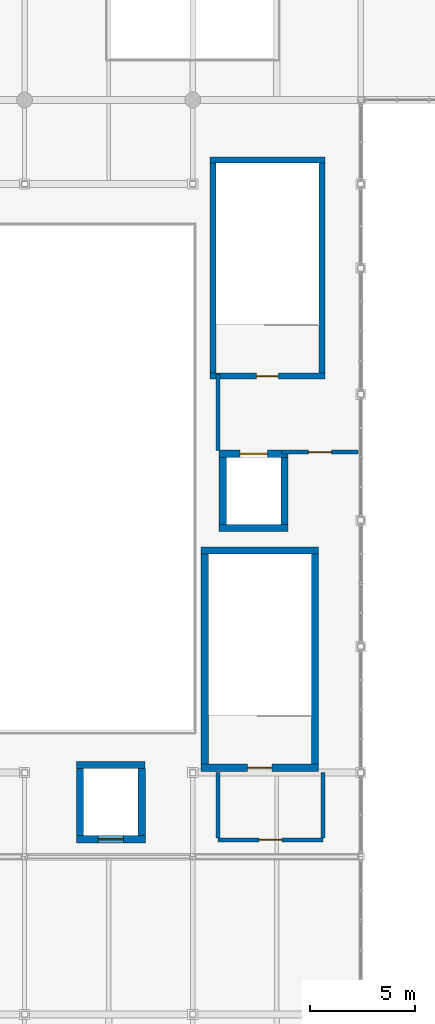
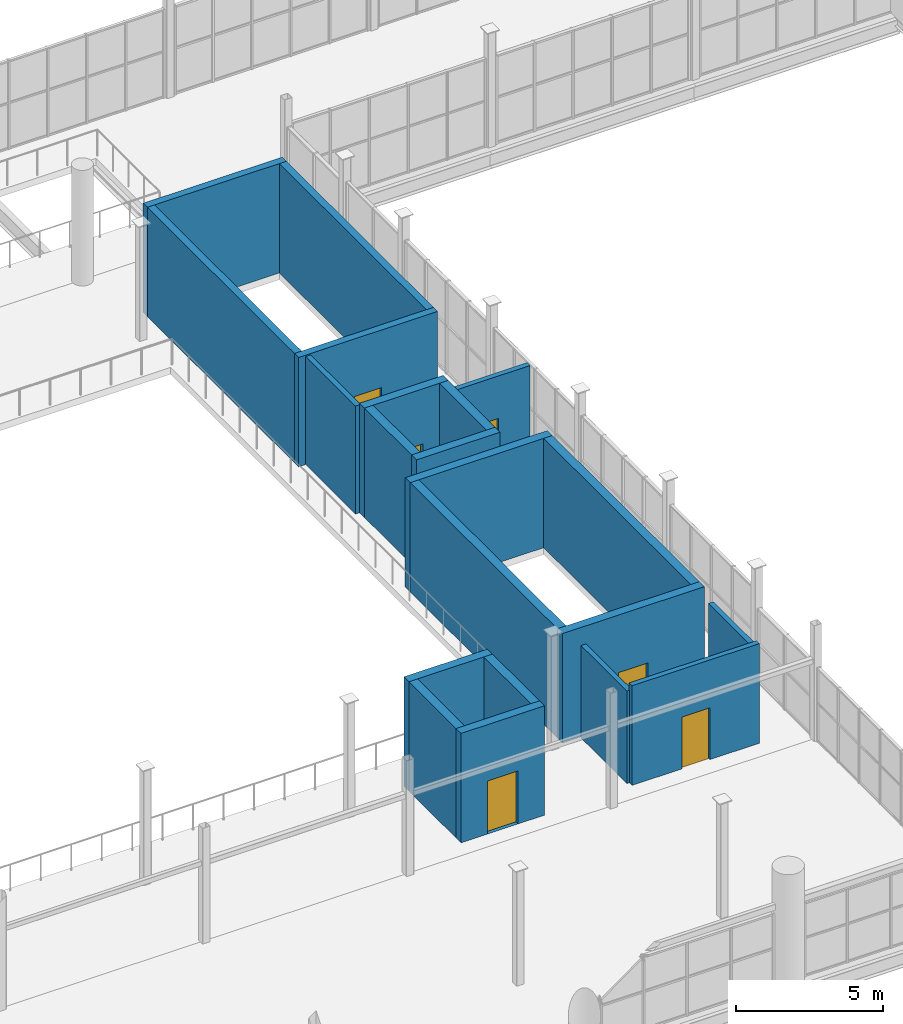
# One storey, part 100 of 114: 21 walls, 6 doors, 6 openings.
"""IFC4 building model written with IfcOpenShell, lengths in metres."""

from ifc_helpers import new_model, si_unit, direction, frame, frame_2d, origin, place, context, subcontext, project, spatial, rectangle, extrude, material, layer, layer_set, type_object, element, fill, save


model = new_model("IFC4")

# Units and contexts
model_context = context("Model", 3, precision=1e-05, world=origin(), true_north=direction((0.0, 1.0)))
body_context = subcontext(model_context, "Body", "Model", "MODEL_VIEW")
ifc_project = project(units=[si_unit("LENGTHUNIT", "METRE"), si_unit("AREAUNIT", "SQUARE_METRE"), si_unit("VOLUMEUNIT", "CUBIC_METRE"), si_unit("PLANEANGLEUNIT", "RADIAN"), si_unit("MASSUNIT", "GRAM", prefix="KILO")], contexts=[model_context])

# Site, building, storey
site_placement = place(None, origin())
site = spatial("IfcSite", under=ifc_project, at=site_placement, CompositionType="ELEMENT")
building_placement = place(site_placement, origin())
building = spatial("IfcBuilding", under=site, at=building_placement, Name="Verrall Gate Interchange", CompositionType="ELEMENT")
storey_placement = place(building_placement, frame((0.0, 0.0, 6.60009765625)))
storey = spatial("IfcBuildingStorey", under=building, at=storey_placement, Name="L02", CompositionType="ELEMENT", Elevation=6.60009765625)

# Wall, opening, door
ifc_material_1 = material(Name="Fire-Rated Type X Gypsum Stud Partition Assembly (60 min)", Category="gypsum")
ifc_layer_1 = layer(ifc_material_1, 0.199951171875)
ifc_layer_set_1 = layer_set([ifc_layer_1], Name="Fire-Rated Type X Gypsum Stud Partition Assembly (60 min)")
wall_type_1 = type_object("IfcWallType", Name="IW-01 Interior Partition Wall 200", PredefinedType="PARTITIONING", material=ifc_layer_set_1)
wall_1_placement = place(storey_placement, frame((101.199951171875, 12.800048828125, 0.0), z_axis=(0.0, 0.0, 1.0), x_axis=(1.0, 0.0, 0.0)))
wall_1 = element("IfcWall", 1, at=wall_1_placement, inside=storey, type_object=wall_type_1, Name="L02 Core C6 Lobby South Rated Wall", PredefinedType="PARTITIONING", context=body_context, shape_type="SweptSolid", body=[
    extrude(rectangle(XDim=5.0, YDim=0.199951171875, at=frame_2d((2.5, 0.0))), origin(), (0.0, 0.0, 1.0), 4.135986328125),
])
opening_1_placement = place(wall_1_placement, frame((1.949951171875, 0.0, 0.0)))
opening_1 = element("IfcOpeningElement", 2, at=opening_1_placement, cuts=wall_1, Name="Opening LBD078", PredefinedType="OPENING", context=body_context, shape_type="SweptSolid", body=[
    extrude(rectangle(XDim=1.10009765625, YDim=2.14990234375, at=frame_2d((0.550048828125, 1.074951171875))), frame((0.0, 0.11474609375, 0.0), z_axis=(0.0, -1.0, 0.0), x_axis=(1.0, 0.0, 0.0)), (0.0, 0.0, 1.0), 0.229736328125),
])
ifc_material_2 = material(Name="Hollow-Metal Fire-Rated Door Assembly", Category="metal")
door_type_1 = type_object("IfcDoorType", Name="ID-06 Interior Swing Door 1100x2150", OperationType="NOTDEFINED", PredefinedType="DOOR", material=ifc_material_2)
door_1_placement = place(opening_1_placement, origin())
door_1 = element("IfcDoor", 3, at=door_1_placement, inside=storey, type_object=door_type_1, Name="L02 Core C6 Lobby Fire Door LBD078", OperationType="SINGLE_SWING_RIGHT", OverallHeight=2.14990234375, OverallWidth=1.10009765625, PredefinedType="DOOR", context=body_context, shape_type="SweptSolid", body=[
    extrude(rectangle(XDim=1.10009765625, YDim=2.14990234375, at=frame_2d((0.550048828125, 1.074951171875))), frame((0.0, 0.02490234375, 0.0), z_axis=(0.0, -1.0, 0.0), x_axis=(1.0, 0.0, 0.0)), (0.0, 0.0, 1.0), 0.050048828125),
])
fill(opening_1, door_1)

# Walls
for number, where, z_axis, x_axis, name in (
    (4, (101.199951171875, 16.0, 0.0), (0.0, 0.0, 1.0), (0.0, -1.0, 0.0), "L02 Core C6 Lobby West Rated Wall"),
    (5, (106.199951171875, 12.8798828125, 0.0), (0.0, 0.0, 1.0), (0.0, 1.0, 0.0), "L02 Core C6 Lobby East Rated Wall"),
):
    element("IfcWall", number, at=place(storey_placement, frame(where, z_axis=z_axis, x_axis=x_axis)), inside=storey, type_object=wall_type_1, Name=name, PredefinedType="PARTITIONING", context=body_context, shape_type="SweptSolid", body=[
        extrude(rectangle(XDim=3.1201171875, YDim=0.199951171875, at=frame_2d((1.56005859375, 0.0))), origin(), (0.0, 0.0, 1.0), 3.8388671875),
    ])

# Wall, opening, door
wall_2_placement = place(storey_placement, frame((104.25, 31.25, 0.0), z_axis=(0.0, 0.0, 1.0), x_axis=(1.0, 0.0, 0.0)))
wall_2 = element("IfcWall", 6, at=wall_2_placement, inside=storey, type_object=wall_type_1, Name="L02 Core C7 Lobby South Rated Wall", PredefinedType="PARTITIONING", context=body_context, shape_type="SweptSolid", body=[
    extrude(rectangle(XDim=3.60009765625, YDim=0.199951171875, at=frame_2d((1.800048828125, 0.0))), origin(), (0.0, 0.0, 1.0), 3.910888671875),
])
opening_2_placement = place(wall_2_placement, frame((1.25, 0.0, 0.0)))
opening_2 = element("IfcOpeningElement", 7, at=opening_2_placement, cuts=wall_2, Name="Opening LBD086", PredefinedType="OPENING", context=body_context, shape_type="SweptSolid", body=[
    extrude(rectangle(XDim=1.10009765625, YDim=2.14990234375, at=frame_2d((0.550048828125, 1.074951171875))), frame((0.0, 0.11474609375, 0.0), z_axis=(0.0, -1.0, 0.0), x_axis=(1.0, 0.0, 0.0)), (0.0, 0.0, 1.0), 0.229736328125),
])
door_2_placement = place(opening_2_placement, origin())
door_2 = element("IfcDoor", 8, at=door_2_placement, inside=storey, type_object=door_type_1, Name="L02 Core C7 Lobby Fire Door LBD086", OperationType="SINGLE_SWING_RIGHT", OverallHeight=2.14990234375, OverallWidth=1.10009765625, PredefinedType="DOOR", context=body_context, shape_type="SweptSolid", body=[
    extrude(rectangle(XDim=1.10009765625, YDim=2.14990234375, at=frame_2d((0.550048828125, 1.074951171875))), frame((0.0, 0.02490234375, 0.0), z_axis=(0.0, -1.0, 0.0), x_axis=(1.0, 0.0, 0.0)), (0.0, 0.0, 1.0), 0.050048828125),
])
fill(opening_2, door_2)

# Wall
wall_3_placement = place(storey_placement, frame((101.199951171875, 34.949951171875, 0.0), z_axis=(0.0, 0.0, 1.0), x_axis=(0.0, -1.0, 0.0)))
element("IfcWall", 9, at=wall_3_placement, inside=storey, type_object=wall_type_1, Name="L02 Core C7 Lobby West Rated Wall", PredefinedType="PARTITIONING", context=body_context, shape_type="SweptSolid", body=[
    extrude(rectangle(XDim=3.619873046875, YDim=0.199951171875, at=frame_2d((1.81005859375, 0.0))), origin(), (0.0, 0.0, 1.0), 4.47998046875),
])

# Wall, opening, door
ifc_material_3 = material(Name="Concrete CSA A23.1 40 MPa (Class N)", Category="concrete")
ifc_layer_2 = layer(ifc_material_3, 0.340087890625)
ifc_layer_set_2 = layer_set([ifc_layer_2], Name="Concrete CSA A23.1 40 MPa (Class N)")
wall_type_2 = type_object("IfcWallType", Name="SW-02 Core Shear Wall 340", PredefinedType="SHEAR", material=ifc_layer_set_2)
wall_4_placement = place(storey_placement, frame((100.39990234375, 16.22998046875, 0.0), z_axis=(0.0, 0.0, 1.0), x_axis=(1.0, 0.0, 0.0)))
wall_4 = element("IfcWall", 10, at=wall_4_placement, inside=storey, type_object=wall_type_2, Name="L02 Core C6 South Shear Wall", PredefinedType="SHEAR", context=body_context, shape_type="SweptSolid", body=[
    extrude(rectangle(XDim=5.580078125, YDim=0.340087890625, at=frame_2d((2.7900390625, 0.0))), origin(), (0.0, 0.0, 1.0), 4.539794921875),
])
opening_3_placement = place(wall_4_placement, frame((2.215087890625, 0.0, 0.0)))
opening_3 = element("IfcOpeningElement", 11, at=opening_3_placement, cuts=wall_4, Name="Opening SD074", PredefinedType="OPENING", context=body_context, shape_type="SweptSolid", body=[
    extrude(rectangle(XDim=1.14990234375, YDim=2.14990234375, at=frame_2d((0.574951171875, 1.074951171875))), frame((0.0, 0.18505859375, 0.0), z_axis=(0.0, -1.0, 0.0), x_axis=(1.0, 0.0, 0.0)), (0.0, 0.0, 1.0), 0.369873046875),
])
ifc_material_4 = material(Name="Hollow-Metal Fire-Rated Door Assembly", Category="metal")
door_type_2 = type_object("IfcDoorType", Name="ID-02 Interior Swing Door 1150x2150", OperationType="NOTDEFINED", PredefinedType="DOOR", material=ifc_material_4)
door_3_placement = place(opening_3_placement, origin())
door_3 = element("IfcDoor", 12, at=door_3_placement, inside=storey, type_object=door_type_2, Name="L02 Stair ST-06 Fire Door SD074", OperationType="SINGLE_SWING_RIGHT", OverallHeight=2.14990234375, OverallWidth=1.14990234375, PredefinedType="DOOR", context=body_context, shape_type="SweptSolid", body=[
    extrude(rectangle(XDim=1.14990234375, YDim=2.14990234375, at=frame_2d((0.574951171875, 1.074951171875))), frame((0.0, 0.02490234375, 0.0), z_axis=(0.0, -1.0, 0.0), x_axis=(1.0, 0.0, 0.0)), (0.0, 0.0, 1.0), 0.050048828125),
])
fill(opening_3, door_3)

# Walls
wall_5_placement = place(storey_placement, frame((105.97998046875, 26.570068359375, 0.0), z_axis=(0.0, 0.0, 1.0), x_axis=(-1.0, 0.0, 0.0)))
element("IfcWall", 13, at=wall_5_placement, inside=storey, type_object=wall_type_2, Name="L02 Core C6 North Shear Wall", PredefinedType="SHEAR", context=body_context, shape_type="SweptSolid", body=[
    extrude(rectangle(XDim=5.580078125, YDim=0.340087890625, at=frame_2d((2.7900390625, 0.0))), origin(), (0.0, 0.0, 1.0), 4.539794921875),
])
for number, where, z_axis, x_axis, name in (
    (14, (100.570068359375, 26.39990234375, 0.0), (0.0, 0.0, 1.0), (0.0, -1.0, 0.0), "L02 Core C6 West Shear Wall"),
    (15, (105.81005859375, 16.39990234375, 0.0), (0.0, 0.0, 1.0), (0.0, 1.0, 0.0), "L02 Core C6 East Shear Wall"),
):
    element("IfcWall", number, at=place(storey_placement, frame(where, z_axis=z_axis, x_axis=x_axis)), inside=storey, type_object=wall_type_2, Name=name, PredefinedType="SHEAR", context=body_context, shape_type="SweptSolid", body=[
        extrude(rectangle(XDim=10.0, YDim=0.340087890625, at=frame_2d((5.0, 0.0))), origin(), (0.0, 0.0, 1.0), 4.539794921875),
    ])

# Wall, opening, door
wall_6_placement = place(storey_placement, frame((94.4599609375, 12.830078125, 0.0), z_axis=(0.0, 0.0, 1.0), x_axis=(1.0, 0.0, 0.0)))
wall_6 = element("IfcWall", 16, at=wall_6_placement, inside=storey, type_object=wall_type_2, Name="L02 Elevator EL-04 South Shaft Wall", PredefinedType="SHEAR", context=body_context, shape_type="SweptSolid", body=[
    extrude(rectangle(XDim=3.280029296875, YDim=0.340087890625, at=frame_2d((1.64013671875, 0.0))), origin(), (0.0, 0.0, 1.0), 4.539794921875),
])
opening_4_placement = place(wall_6_placement, frame((1.0400390625, 0.0, 0.0)))
opening_4 = element("IfcOpeningElement", 17, at=opening_4_placement, cuts=wall_6, Name="Opening LD-04-L02", PredefinedType="OPENING", context=body_context, shape_type="SweptSolid", body=[
    extrude(rectangle(XDim=1.199951171875, YDim=2.199951171875, at=frame_2d((0.60009765625, 1.10009765625))), frame((0.0, 0.18505859375, 0.0), z_axis=(0.0, -1.0, 0.0), x_axis=(1.0, 0.0, 0.0)), (0.0, 0.0, 1.0), 0.369873046875),
])
ifc_material_5 = material(Name="Stainless-Steel Elevator Landing Sliding Door Assembly", Category="steel")
door_type_3 = type_object("IfcDoorType", Name="LD-02 Elevator Sliding Landing Door 1200x2200", OperationType="NOTDEFINED", PredefinedType="DOOR", material=ifc_material_5)
door_4_placement = place(opening_4_placement, origin())
door_4 = element("IfcDoor", 18, at=door_4_placement, inside=storey, type_object=door_type_3, Name="L02 Elevator EL-04 Sliding Landing Door", OperationType="DOUBLE_DOOR_SLIDING", OverallHeight=2.199951171875, OverallWidth=1.199951171875, PredefinedType="DOOR", context=body_context, shape_type="SweptSolid", body=[
    extrude(rectangle(XDim=1.199951171875, YDim=2.199951171875, at=frame_2d((0.60009765625, 1.10009765625))), frame((0.0, 0.02490234375, 0.0), z_axis=(0.0, -1.0, 0.0), x_axis=(1.0, 0.0, 0.0)), (0.0, 0.0, 1.0), 0.050048828125),
])
fill(opening_4, door_4)

# Walls
wall_7_placement = place(storey_placement, frame((97.739990234375, 16.3701171875, 0.0), z_axis=(0.0, 0.0, 1.0), x_axis=(-1.0, 0.0, 0.0)))
element("IfcWall", 19, at=wall_7_placement, inside=storey, type_object=wall_type_2, Name="L02 Elevator EL-04 North Shaft Wall", PredefinedType="SHEAR", context=body_context, shape_type="SweptSolid", body=[
    extrude(rectangle(XDim=3.280029296875, YDim=0.340087890625, at=frame_2d((1.64013671875, 0.0))), origin(), (0.0, 0.0, 1.0), 4.539794921875),
])
for number, where, z_axis, x_axis, name in (
    (20, (94.6298828125, 16.199951171875, 0.0), (0.0, 0.0, 1.0), (0.0, -1.0, 0.0), "L02 Elevator EL-04 West Shaft Wall"),
    (21, (97.570068359375, 13.0, 0.0), (0.0, 0.0, 1.0), (0.0, 1.0, 0.0), "L02 Elevator EL-04 East Shaft Wall"),
):
    element("IfcWall", number, at=place(storey_placement, frame(where, z_axis=z_axis, x_axis=x_axis)), inside=storey, type_object=wall_type_2, Name=name, PredefinedType="SHEAR", context=body_context, shape_type="SweptSolid", body=[
        extrude(rectangle(XDim=3.199951171875, YDim=0.340087890625, at=frame_2d((1.60009765625, 0.0))), origin(), (0.0, 0.0, 1.0), 4.539794921875),
    ])
wall_8_placement = place(storey_placement, frame((101.260009765625, 27.6298828125, 0.0), z_axis=(0.0, 0.0, 1.0), x_axis=(1.0, 0.0, 0.0)))
element("IfcWall", 22, at=wall_8_placement, inside=storey, type_object=wall_type_2, Name="L02 Elevator EL-05 South Shaft Wall", PredefinedType="SHEAR", context=body_context, shape_type="SweptSolid", body=[
    extrude(rectangle(XDim=3.280029296875, YDim=0.340087890625, at=frame_2d((1.64013671875, 0.0))), origin(), (0.0, 0.0, 1.0), 4.539794921875),
])

# Wall, opening, door
wall_9_placement = place(storey_placement, frame((104.5400390625, 31.169921875, 0.0), z_axis=(0.0, 0.0, 1.0), x_axis=(-1.0, 0.0, 0.0)))
wall_9 = element("IfcWall", 23, at=wall_9_placement, inside=storey, type_object=wall_type_2, Name="L02 Elevator EL-05 North Shaft Wall", PredefinedType="SHEAR", context=body_context, shape_type="SweptSolid", body=[
    extrude(rectangle(XDim=3.280029296875, YDim=0.340087890625, at=frame_2d((1.64013671875, 0.0))), origin(), (0.0, 0.0, 1.0), 4.539794921875),
])
opening_5_placement = place(wall_9_placement, frame((0.989990234375, 0.0, 0.0)))
opening_5 = element("IfcOpeningElement", 24, at=opening_5_placement, cuts=wall_9, Name="Opening LD-05-L02", PredefinedType="OPENING", context=body_context, shape_type="SweptSolid", body=[
    extrude(rectangle(XDim=1.300048828125, YDim=2.25, at=frame_2d((0.64990234375, 1.125))), frame((0.0, 0.18505859375, 0.0), z_axis=(0.0, -1.0, 0.0), x_axis=(1.0, 0.0, 0.0)), (0.0, 0.0, 1.0), 0.369873046875),
])
ifc_material_6 = material(Name="Stainless-Steel Elevator Landing Sliding Door Assembly", Category="steel")
door_type_4 = type_object("IfcDoorType", Name="LD-03 Elevator Sliding Landing Door 1300x2250", OperationType="NOTDEFINED", PredefinedType="DOOR", material=ifc_material_6)
door_5_placement = place(opening_5_placement, origin())
door_5 = element("IfcDoor", 25, at=door_5_placement, inside=storey, type_object=door_type_4, Name="L02 Elevator EL-05 Sliding Landing Door", OperationType="DOUBLE_DOOR_SLIDING", OverallHeight=2.25, OverallWidth=1.300048828125, PredefinedType="DOOR", context=body_context, shape_type="SweptSolid", body=[
    extrude(rectangle(XDim=1.300048828125, YDim=2.25, at=frame_2d((0.64990234375, 1.125))), frame((0.0, 0.02490234375, 0.0), z_axis=(0.0, -1.0, 0.0), x_axis=(1.0, 0.0, 0.0)), (0.0, 0.0, 1.0), 0.050048828125),
])
fill(opening_5, door_5)

# Walls
for number, where, z_axis, x_axis, name in (
    (26, (101.429931640625, 31.0, 0.0), (0.0, 0.0, 1.0), (0.0, -1.0, 0.0), "L02 Elevator EL-05 West Shaft Wall"),
    (27, (104.3701171875, 27.800048828125, 0.0), (0.0, 0.0, 1.0), (0.0, 1.0, 0.0), "L02 Elevator EL-05 East Shaft Wall"),
):
    element("IfcWall", number, at=place(storey_placement, frame(where, z_axis=z_axis, x_axis=x_axis)), inside=storey, type_object=wall_type_2, Name=name, PredefinedType="SHEAR", context=body_context, shape_type="SweptSolid", body=[
        extrude(rectangle(XDim=3.199951171875, YDim=0.340087890625, at=frame_2d((1.60009765625, 0.0))), origin(), (0.0, 0.0, 1.0), 4.539794921875),
    ])

# Wall, opening, door
ifc_material_7 = material(Name="Concrete CSA A23.1 40 MPa (Class N)", Category="concrete")
ifc_layer_3 = layer(ifc_material_7, 0.280029296875)
ifc_layer_set_3 = layer_set([ifc_layer_3], Name="Concrete CSA A23.1 40 MPa (Class N)")
wall_type_3 = type_object("IfcWallType", Name="SW-03 Core Shear Wall 280", PredefinedType="SHEAR", material=ifc_layer_set_3)
wall_10_placement = place(storey_placement, frame((100.820068359375, 34.860107421875, 0.0), z_axis=(0.0, 0.0, 1.0), x_axis=(1.0, 0.0, 0.0)))
wall_10 = element("IfcWall", 28, at=wall_10_placement, inside=storey, type_object=wall_type_3, Name="L02 Core C7 South Shear Wall", PredefinedType="SHEAR", context=body_context, shape_type="SweptSolid", body=[
    extrude(rectangle(XDim=5.4599609375, YDim=0.280029296875, at=frame_2d((2.72998046875, 0.0))), origin(), (0.0, 0.0, 1.0), 4.539794921875),
])
opening_6_placement = place(wall_10_placement, frame((2.205078125, 0.0, 0.0)))
opening_6 = element("IfcOpeningElement", 29, at=opening_6_placement, cuts=wall_10, Name="Opening SD082", PredefinedType="OPENING", context=body_context, shape_type="SweptSolid", body=[
    extrude(rectangle(XDim=1.050048828125, YDim=2.14990234375, at=frame_2d((0.52490234375, 1.074951171875))), frame((0.0, 0.15478515625, 0.0), z_axis=(0.0, -1.0, 0.0), x_axis=(1.0, 0.0, 0.0)), (0.0, 0.0, 1.0), 0.309814453125),
])
ifc_material_8 = material(Name="Hollow-Metal Fire-Rated Door Assembly", Category="metal")
door_type_5 = type_object("IfcDoorType", Name="ID-01 Interior Swing Door 1050x2150", OperationType="NOTDEFINED", PredefinedType="DOOR", material=ifc_material_8)
door_6_placement = place(opening_6_placement, origin())
door_6 = element("IfcDoor", 30, at=door_6_placement, inside=storey, type_object=door_type_5, Name="L02 Stair ST-07 Fire Door SD082", OperationType="SINGLE_SWING_RIGHT", OverallHeight=2.14990234375, OverallWidth=1.050048828125, PredefinedType="DOOR", context=body_context, shape_type="SweptSolid", body=[
    extrude(rectangle(XDim=1.050048828125, YDim=2.14990234375, at=frame_2d((0.52490234375, 1.074951171875))), frame((0.0, 0.02490234375, 0.0), z_axis=(0.0, -1.0, 0.0), x_axis=(1.0, 0.0, 0.0)), (0.0, 0.0, 1.0), 0.050048828125),
])
fill(opening_6, door_6)

# Walls
wall_11_placement = place(storey_placement, frame((106.280029296875, 45.139892578125, 0.0), z_axis=(0.0, 0.0, 1.0), x_axis=(-1.0, 0.0, 0.0)))
element("IfcWall", 31, at=wall_11_placement, inside=storey, type_object=wall_type_3, Name="L02 Core C7 North Shear Wall", PredefinedType="SHEAR", context=body_context, shape_type="SweptSolid", body=[
    extrude(rectangle(XDim=5.4599609375, YDim=0.280029296875, at=frame_2d((2.72998046875, 0.0))), origin(), (0.0, 0.0, 1.0), 4.539794921875),
])
for number, where, z_axis, x_axis, name in (
    (32, (100.9599609375, 45.0, 0.0), (0.0, 0.0, 1.0), (0.0, -1.0, 0.0), "L02 Core C7 West Shear Wall"),
    (33, (106.139892578125, 35.0, 0.0), (0.0, 0.0, 1.0), (0.0, 1.0, 0.0), "L02 Core C7 East Shear Wall"),
):
    element("IfcWall", number, at=place(storey_placement, frame(where, z_axis=z_axis, x_axis=x_axis)), inside=storey, type_object=wall_type_3, Name=name, PredefinedType="SHEAR", context=body_context, shape_type="SweptSolid", body=[
        extrude(rectangle(XDim=10.0, YDim=0.280029296875, at=frame_2d((5.0, 0.0))), origin(), (0.0, 0.0, 1.0), 4.539794921875),
    ])

save(model, "model.ifc")
